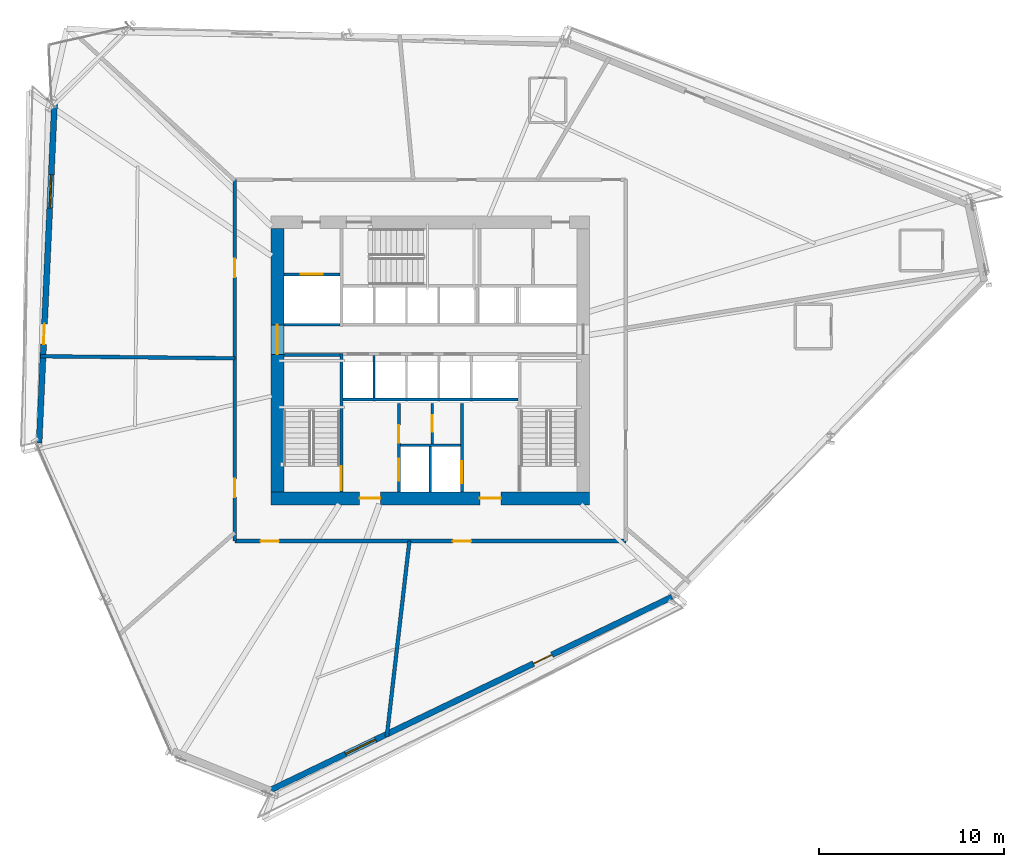
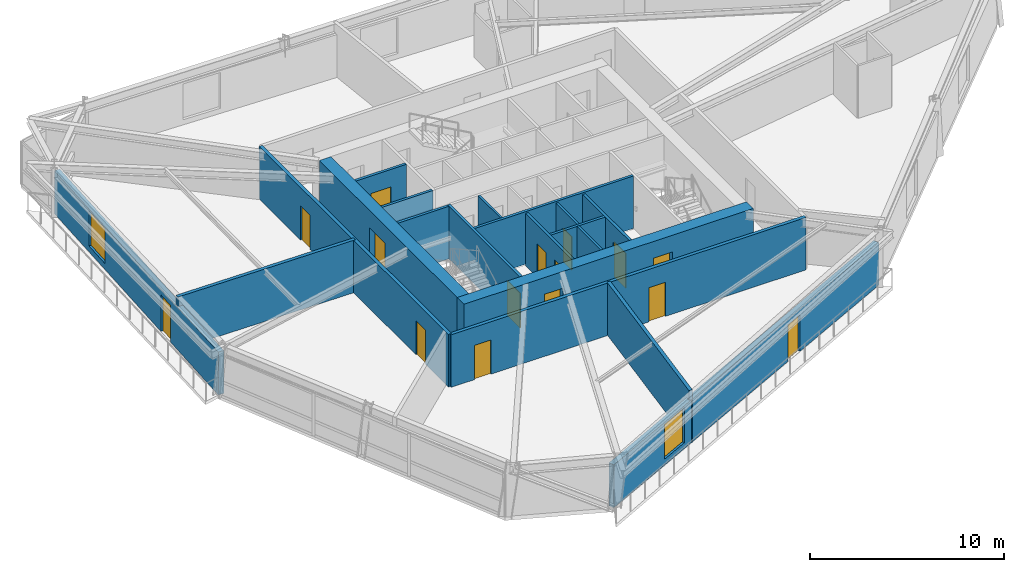
# One storey, part 13 of 19: 19 walls, 15 doors, 2 windows, 17 openings.
"""IFC4 building model written with IfcOpenShell, lengths in metres."""

from ifc_helpers import new_model, si_unit, direction, frame, frame_2d, origin, place, context, subcontext, project, spatial, rectangle, extrude, source, transform, mapped, material, layer, layer_set, type_object, type_shapes, element, fill, save


model = new_model("IFC4")

# Units and contexts
model_context = context("Model", 3, precision=1e-05, world=origin(), true_north=direction((0.0, 1.0)))
body_context = subcontext(model_context, "Body", "Model", "MODEL_VIEW")
ifc_project = project(units=[si_unit("LENGTHUNIT", "METRE"), si_unit("AREAUNIT", "SQUARE_METRE"), si_unit("VOLUMEUNIT", "CUBIC_METRE"), si_unit("PLANEANGLEUNIT", "RADIAN"), si_unit("MASSUNIT", "GRAM", prefix="KILO")], contexts=[model_context])

# Site, building, storey
site_placement = place(None, origin())
site = spatial("IfcSite", under=ifc_project, at=site_placement, CompositionType="ELEMENT")
building_placement = place(site_placement, origin())
building = spatial("IfcBuilding", under=site, at=building_placement, Name="Olszyna Solenne Hotel", CompositionType="ELEMENT")
storey_placement = place(building_placement, frame((0.0, 0.0, 84.39990234375)))
storey = spatial("IfcBuildingStorey", under=building, at=storey_placement, Name="L21", CompositionType="ELEMENT", Elevation=84.39990234375)

# Wall, openings, doors
ifc_material_1 = material(Name="Concrete C60/75", Category="concrete")
ifc_layer_1 = layer(ifc_material_1, 0.699951171875, Name="Concrete C60/75")
ifc_layer_set_1 = layer_set([ifc_layer_1], Name="Concrete C60/75")
wall_type_1 = type_object("IfcWallType", Name="WL-CR700", PredefinedType="SHEAR", material=ifc_layer_set_1)
wall_1_placement = place(storey_placement, frame((46.60009765625, 19.14990234375, 0.0), z_axis=(0.0, 0.0, 1.0), x_axis=(-1.0, 0.0, 0.0)))
wall_1 = element("IfcWall", 1, at=wall_1_placement, inside=storey, type_object=wall_type_1, Name="Core shear wall WL-CR700 CRW-L21-S", PredefinedType="SHEAR", context=body_context, shape_type="SweptSolid", body=[
    extrude(rectangle(XDim=17.2001953125, YDim=0.699951171875, at=frame_2d((8.60009765625, 0.0))), origin(), (0.0, 0.0, 1.0), 3.300048828125),
])
opening_1_placement = place(wall_1_placement, frame((4.800048828125, 0.0, 0.0)))
opening_1 = element("IfcOpeningElement", 2, at=opening_1_placement, cuts=wall_1, Name="Opening FL-L21-1", PredefinedType="OPENING", context=body_context, shape_type="SweptSolid", body=[
    extrude(rectangle(XDim=1.1201171875, YDim=2.25, at=frame_2d((0.56005859375, 1.125))), frame((0.0, 0.35986328125, 0.0), z_axis=(0.0, -1.0, 0.0), x_axis=(1.0, 0.0, 0.0)), (0.0, 0.0, 1.0), 0.719970703125),
])
opening_2_placement = place(wall_1_placement, frame((11.300048828125, 0.0, 0.0)))
opening_2 = element("IfcOpeningElement", 3, at=opening_2_placement, cuts=wall_1, Name="Opening FL-L21-2", PredefinedType="OPENING", context=body_context, shape_type="SweptSolid", body=[
    extrude(rectangle(XDim=1.1201171875, YDim=2.25, at=frame_2d((0.56005859375, 1.125))), frame((0.0, 0.35986328125, 0.0), z_axis=(0.0, -1.0, 0.0), x_axis=(1.0, 0.0, 0.0)), (0.0, 0.0, 1.0), 0.719970703125),
])
ifc_material_2 = material(Name="Steel S355J2", Category="steel")
door_type_1 = type_object("IfcDoorType", Name="DR-FL1", OperationType="NOTDEFINED", PredefinedType="DOOR", material=ifc_material_2)
shared_shape_1 = source(origin(), body_context, "Body", "SweptSolid", [
    extrude(rectangle(XDim=1.1201171875, YDim=2.25, at=frame_2d((0.56005859375, 1.125))), frame((0.0, 0.02490234375, 0.0), z_axis=(0.0, -1.0, 0.0), x_axis=(1.0, 0.0, 0.0)), (0.0, 0.0, 1.0), 0.050048828125),
])
type_shapes(door_type_1, [shared_shape_1])
door_1_placement = place(opening_1_placement, origin())
door_1 = element("IfcDoor", 4, at=door_1_placement, inside=storey, type_object=door_type_1, Name="Firefighting lift lobby smoke door FL-L21-1", OperationType="SINGLE_SWING_LEFT", OverallHeight=2.25, OverallWidth=1.1201171875, PredefinedType="DOOR", context=body_context, shape_type="MappedRepresentation", body=[
    mapped(shared_shape_1, transform((0.0, 0.0, 0.0), x_axis=(1.0, 0.0, 0.0), y_axis=(0.0, 1.0, 0.0), z_axis=(0.0, 0.0, 1.0), scale=1.0)),
])
fill(opening_1, door_1)
door_2_placement = place(opening_2_placement, origin())
door_2 = element("IfcDoor", 5, at=door_2_placement, inside=storey, type_object=door_type_1, Name="Firefighting lift lobby smoke door FL-L21-2", OperationType="SINGLE_SWING_RIGHT", OverallHeight=2.25, OverallWidth=1.1201171875, PredefinedType="DOOR", context=body_context, shape_type="MappedRepresentation", body=[
    mapped(shared_shape_1, transform((0.0, 0.0, 0.0), x_axis=(1.0, 0.0, 0.0), y_axis=(0.0, 1.0, 0.0), z_axis=(0.0, 0.0, 1.0), scale=1.0)),
])
fill(opening_2, door_2)

# Wall, opening, door
wall_2_placement = place(storey_placement, frame((29.75, 19.5, 0.0), z_axis=(0.0, 0.0, 1.0), x_axis=(0.0, 1.0, 0.0)))
wall_2 = element("IfcWall", 6, at=wall_2_placement, inside=storey, type_object=wall_type_1, Name="Core shear wall WL-CR700 CRW-L21-W", PredefinedType="SHEAR", context=body_context, shape_type="SweptSolid", body=[
    extrude(rectangle(XDim=14.199951171875, YDim=0.699951171875, at=frame_2d((7.10009765625, 0.0))), origin(), (0.0, 0.0, 1.0), 3.300048828125),
])
opening_3_placement = place(wall_2_placement, frame((7.419921875, 0.0, 0.0)))
opening_3 = element("IfcOpeningElement", 7, at=opening_3_placement, cuts=wall_2, Name="Opening LHD-L21-W", PredefinedType="OPENING", context=body_context, shape_type="SweptSolid", body=[
    extrude(rectangle(XDim=1.60009765625, YDim=2.199951171875, at=frame_2d((0.800048828125, 1.10009765625))), frame((0.0, 0.35986328125, 0.0), z_axis=(0.0, -1.0, 0.0), x_axis=(1.0, 0.0, 0.0)), (0.0, 0.0, 1.0), 0.719970703125),
])
ifc_material_3 = material(Name="Timber hardwood", Category="wood")
door_type_2 = type_object("IfcDoorType", Name="DR-CR1", OperationType="DOUBLE_DOOR_SINGLE_SWING", PredefinedType="DOOR", material=ifc_material_3)
shared_shape_2 = source(origin(), body_context, "Body", "SweptSolid", [
    extrude(rectangle(XDim=1.60009765625, YDim=2.199951171875, at=frame_2d((0.800048828125, 1.10009765625))), frame((0.0, 0.02490234375, 0.0), z_axis=(0.0, -1.0, 0.0), x_axis=(1.0, 0.0, 0.0)), (0.0, 0.0, 1.0), 0.050048828125),
])
type_shapes(door_type_2, [shared_shape_2])
door_3_placement = place(opening_3_placement, origin())
door_3 = element("IfcDoor", 8, at=door_3_placement, inside=storey, type_object=door_type_2, Name="Passenger lift lobby West fire door LHD-L21-W", OperationType="DOUBLE_DOOR_SINGLE_SWING", OverallHeight=2.199951171875, OverallWidth=1.60009765625, PredefinedType="DOOR", context=body_context, shape_type="MappedRepresentation", body=[
    mapped(shared_shape_2, transform((0.0, 0.0, 0.0), x_axis=(1.0, 0.0, 0.0), y_axis=(0.0, 1.0, 0.0), z_axis=(0.0, 0.0, 1.0), scale=1.0)),
])
fill(opening_3, door_3)

# Wall, openings, door, window
ifc_material_4 = material(Name="Precast concrete C45/55", Category="concrete")
ifc_layer_2 = layer(ifc_material_4, 0.320068359375, Name="Precast concrete C45/55")
ifc_layer_set_2 = layer_set([ifc_layer_2], Name="Precast concrete C45/55")
wall_type_2 = type_object("IfcWallType", Name="WL-EX320", PredefinedType="SOLIDWALL", material=ifc_layer_set_2)
wall_3_placement = place(storey_placement, frame((51.035888671875, 13.831298828125, 0.0), z_axis=(0.0, 0.0, 1.0), x_axis=(-0.901204126569, -0.433394880283, 0.0)))
wall_3 = element("IfcWall", 9, at=wall_3_placement, inside=storey, type_object=wall_type_2, Name="Exterior terracotta-precast frame wall WL-EX320 EW-L21-01", PredefinedType="SOLIDWALL", context=body_context, shape_type="SweptSolid", body=[
    extrude(rectangle(XDim=24.183837890625, YDim=0.320068359375, at=frame_2d((12.091796875, 0.0))), origin(), (0.0, 0.0, 1.0), 2.692138671875),
])
opening_4_placement = place(wall_3_placement, frame((7.18896484375, 0.0, 0.0)))
opening_4 = element("IfcOpeningElement", 10, at=opening_4_placement, cuts=wall_3, Name="Opening LDG-L21-3", PredefinedType="OPENING", context=body_context, shape_type="SweptSolid", body=[
    extrude(rectangle(XDim=1.10009765625, YDim=2.300048828125, at=frame_2d((0.550048828125, 1.14990234375))), frame((0.0, 0.169921875, 0.0), z_axis=(0.0, -1.0, 0.0), x_axis=(1.0, 0.0, 0.0)), (0.0, 0.0, 1.0), 0.340087890625),
])
opening_5_placement = place(wall_3_placement, frame((17.74609375, 0.0, 0.3720703125)))
opening_5 = element("IfcOpeningElement", 11, at=opening_5_placement, cuts=wall_3, Name="Opening WN-L21-108", PredefinedType="OPENING", context=body_context, shape_type="SweptSolid", body=[
    extrude(rectangle(XDim=1.800048828125, YDim=2.199951171875, at=frame_2d((0.89990234375, 1.10009765625))), frame((0.0, 0.169921875, 0.0), z_axis=(0.0, -1.0, 0.0), x_axis=(1.0, 0.0, 0.0)), (0.0, 0.0, 1.0), 0.340087890625),
])
ifc_material_5 = material(Name="Anodised bronze aluminium", Category="aluminium")
door_type_3 = type_object("IfcDoorType", Name="DR-LG1", OperationType="NOTDEFINED", PredefinedType="DOOR", material=ifc_material_5)
shared_shape_3 = source(origin(), body_context, "Body", "SweptSolid", [
    extrude(rectangle(XDim=1.10009765625, YDim=2.300048828125, at=frame_2d((0.550048828125, 1.14990234375))), frame((0.0, 0.02490234375, 0.0), z_axis=(0.0, -1.0, 0.0), x_axis=(1.0, 0.0, 0.0)), (0.0, 0.0, 1.0), 0.050048828125),
])
type_shapes(door_type_3, [shared_shape_3])
door_4_placement = place(opening_4_placement, origin())
door_4 = element("IfcDoor", 12, at=door_4_placement, inside=storey, type_object=door_type_3, Name="Exterior loggia balcony door DR-LG1 LDG-L21-3", OperationType="SINGLE_SWING_LEFT", OverallHeight=2.300048828125, OverallWidth=1.10009765625, PredefinedType="DOOR", context=body_context, shape_type="MappedRepresentation", body=[
    mapped(shared_shape_3, transform((0.0, 0.0, 0.0), x_axis=(1.0, 0.0, 0.0), y_axis=(0.0, 1.0, 0.0), z_axis=(0.0, 0.0, 1.0), scale=1.0)),
])
fill(opening_4, door_4)
ifc_material_6 = material(Name="Low-E triple glazing", Category="glass")
window_type = type_object("IfcWindowType", Name="WN-HT1", PartitioningType="SINGLE_PANEL", PredefinedType="WINDOW", material=ifc_material_6)
shared_shape_4 = source(origin(), body_context, "Body", "SweptSolid", [
    extrude(rectangle(XDim=1.800048828125, YDim=2.199951171875, at=frame_2d((0.89990234375, 1.10009765625))), frame((0.0, 0.030029296875, 0.0), z_axis=(0.0, -1.0, 0.0), x_axis=(1.0, 0.0, 0.0)), (0.0, 0.0, 1.0), 0.06005859375),
])
type_shapes(window_type, [shared_shape_4])
window_1_placement = place(opening_5_placement, origin())
window_1 = element("IfcWindow", 13, at=window_1_placement, inside=storey, type_object=window_type, Name="Loggia room window WN-HT1 WN-L21-108", OverallHeight=2.199951171875, OverallWidth=1.800048828125, PartitioningType="SINGLE_PANEL", PredefinedType="WINDOW", context=body_context, shape_type="MappedRepresentation", body=[
    mapped(shared_shape_4, transform((0.0, 0.0, 0.0), x_axis=(1.0, 0.0, 0.0), y_axis=(0.0, 1.0, 0.0), z_axis=(0.0, 0.0, 1.0), scale=1.0)),
])
fill(opening_5, window_1)

wall_4_placement = place(storey_placement, frame((16.89404296875, 22.14892578125, 0.0), z_axis=(0.0, 0.0, 1.0), x_axis=(0.045387139322, 0.998969472799, 0.0)))
wall_4 = element("IfcWall", 14, at=wall_4_placement, inside=storey, type_object=wall_type_2, Name="Exterior terracotta-precast frame wall WL-EX320 EW-L21-04", PredefinedType="SOLIDWALL", context=body_context, shape_type="SweptSolid", body=[
    extrude(rectangle(XDim=18.347900390625, YDim=0.320068359375, at=frame_2d((9.173828125, 0.0))), origin(), (0.0, 0.0, 1.0), 2.692138671875),
])
opening_6_placement = place(wall_4_placement, frame((5.321044921875, 0.0, 0.0)))
opening_6 = element("IfcOpeningElement", 15, at=opening_6_placement, cuts=wall_4, Name="Opening LDG-L21-2", PredefinedType="OPENING", context=body_context, shape_type="SweptSolid", body=[
    extrude(rectangle(XDim=1.10009765625, YDim=2.300048828125, at=frame_2d((0.550048828125, 1.14990234375))), frame((0.0, 0.169921875, 0.0), z_axis=(0.0, -1.0, 0.0), x_axis=(1.0, 0.0, 0.0)), (0.0, 0.0, 1.0), 0.340087890625),
])
opening_7_placement = place(wall_4_placement, frame((12.677978515625, 0.0, 0.3720703125)))
opening_7 = element("IfcOpeningElement", 16, at=opening_7_placement, cuts=wall_4, Name="Opening WN-L21-109", PredefinedType="OPENING", context=body_context, shape_type="SweptSolid", body=[
    extrude(rectangle(XDim=1.800048828125, YDim=2.199951171875, at=frame_2d((0.89990234375, 1.10009765625))), frame((0.0, 0.169921875, 0.0), z_axis=(0.0, -1.0, 0.0), x_axis=(1.0, 0.0, 0.0)), (0.0, 0.0, 1.0), 0.340087890625),
])
door_5_placement = place(opening_6_placement, origin())
door_5 = element("IfcDoor", 17, at=door_5_placement, inside=storey, type_object=door_type_3, Name="Exterior loggia balcony door DR-LG1 LDG-L21-2", OperationType="SINGLE_SWING_RIGHT", OverallHeight=2.300048828125, OverallWidth=1.10009765625, PredefinedType="DOOR", context=body_context, shape_type="MappedRepresentation", body=[
    mapped(shared_shape_3, transform((0.0, 0.0, 0.0), x_axis=(1.0, 0.0, 0.0), y_axis=(0.0, 1.0, 0.0), z_axis=(0.0, 0.0, 1.0), scale=1.0)),
])
fill(opening_6, door_5)
window_2_placement = place(opening_7_placement, origin())
window_2 = element("IfcWindow", 18, at=window_2_placement, inside=storey, type_object=window_type, Name="Loggia room window WN-HT1 WN-L21-109", OverallHeight=2.199951171875, OverallWidth=1.800048828125, PartitioningType="SINGLE_PANEL", PredefinedType="WINDOW", context=body_context, shape_type="MappedRepresentation", body=[
    mapped(shared_shape_4, transform((0.0, 0.0, 0.0), x_axis=(1.0, 0.0, 0.0), y_axis=(0.0, 1.0, 0.0), z_axis=(0.0, 0.0, 1.0), scale=1.0)),
])
fill(opening_7, window_2)

# Wall
ifc_material_7 = material(Name="Acoustic gypsum partition", Category="gypsum")
ifc_layer_3 = layer(ifc_material_7, 0.125, Name="Acoustic gypsum partition")
ifc_layer_set_3 = layer_set([ifc_layer_3], Name="Acoustic gypsum partition")
wall_type_3 = type_object("IfcWallType", Name="WL-PT125", PredefinedType="PARTITIONING", material=ifc_layer_set_3)
wall_5_placement = place(storey_placement, frame((38.0, 19.5, 0.0), z_axis=(0.0, 0.0, 1.0), x_axis=(0.0, 1.0, 0.0)))
element("IfcWall", 19, at=wall_5_placement, inside=storey, type_object=wall_type_3, Name="Core shaft compartment wall CW-L21-FFM", PredefinedType="PARTITIONING", context=body_context, shape_type="SweptSolid", body=[
    extrude(rectangle(XDim=2.4599609375, YDim=0.125, at=frame_2d((1.22998046875, 0.0))), origin(), (0.0, 0.0, 1.0), 3.300048828125),
])

# Wall, opening, door
wall_6_placement = place(storey_placement, frame((38.10009765625, 22.10009765625, 0.0), z_axis=(0.0, 0.0, 1.0), x_axis=(0.0, 1.0, 0.0)))
wall_6 = element("IfcWall", 20, at=wall_6_placement, inside=storey, type_object=wall_type_3, Name="Core shaft compartment wall CW-L21-SC1", PredefinedType="PARTITIONING", context=body_context, shape_type="SweptSolid", body=[
    extrude(rectangle(XDim=2.179931640625, YDim=0.125, at=frame_2d((1.08984375, 0.0))), origin(), (0.0, 0.0, 1.0), 3.300048828125),
])
opening_8_placement = place(wall_6_placement, frame((0.64990234375, 0.0, 0.0)))
opening_8 = element("IfcOpeningElement", 21, at=opening_8_placement, cuts=wall_6, Name="Opening SVD-L21-SC1", PredefinedType="OPENING", context=body_context, shape_type="SweptSolid", body=[
    extrude(rectangle(XDim=0.89990234375, YDim=2.10009765625, at=frame_2d((0.449951171875, 1.050048828125))), frame((0.0, 0.072509765625, 0.0), z_axis=(0.0, -1.0, 0.0), x_axis=(1.0, 0.0, 0.0)), (0.0, 0.0, 1.0), 0.14501953125),
])
door_type_4 = type_object("IfcDoorType", Name="DR-WC1", OperationType="NOTDEFINED", PredefinedType="DOOR", material=ifc_material_3)
shared_shape_5 = source(origin(), body_context, "Body", "SweptSolid", [
    extrude(rectangle(XDim=0.89990234375, YDim=2.10009765625, at=frame_2d((0.449951171875, 1.050048828125))), frame((0.0, 0.02490234375, 0.0), z_axis=(0.0, -1.0, 0.0), x_axis=(1.0, 0.0, 0.0)), (0.0, 0.0, 1.0), 0.050048828125),
])
type_shapes(door_type_4, [shared_shape_5])
door_6_placement = place(opening_8_placement, origin())
door_6 = element("IfcDoor", 22, at=door_6_placement, inside=storey, type_object=door_type_4, Name="Pantry locker door SVD-L21-SC1", OperationType="SINGLE_SWING_LEFT", OverallHeight=2.10009765625, OverallWidth=0.89990234375, PredefinedType="DOOR", context=body_context, shape_type="MappedRepresentation", body=[
    mapped(shared_shape_5, transform((0.0, 0.0, 0.0), x_axis=(1.0, 0.0, 0.0), y_axis=(0.0, 1.0, 0.0), z_axis=(0.0, 0.0, 1.0), scale=1.0)),
])
fill(opening_8, door_6)

# Wall
wall_7_placement = place(storey_placement, frame((34.965087890625, 24.56005859375, 0.0), z_axis=(0.0, 0.0, 1.0), x_axis=(0.0, 1.0, 0.0)))
element("IfcWall", 23, at=wall_7_placement, inside=storey, type_object=wall_type_3, Name="Core shaft compartment wall CW-L21-DIVS349", PredefinedType="PARTITIONING", context=body_context, shape_type="SweptSolid", body=[
    extrude(rectangle(XDim=2.31005859375, YDim=0.125, at=frame_2d((1.155029296875, 0.0))), origin(), (0.0, 0.0, 1.0), 3.300048828125),
])

# Wall, opening, door
ifc_layer_4 = layer(ifc_material_7, 0.159912109375, Name="Acoustic gypsum partition")
ifc_layer_set_4 = layer_set([ifc_layer_4], Name="Acoustic gypsum partition")
wall_type_4 = type_object("IfcWallType", Name="WL-PT160", PredefinedType="PARTITIONING", material=ifc_layer_set_4)
wall_8_placement = place(storey_placement, frame((33.199951171875, 19.5, 0.0), z_axis=(0.0, 0.0, 1.0), x_axis=(0.0, 1.0, 0.0)))
wall_8 = element("IfcWall", 24, at=wall_8_placement, inside=storey, type_object=wall_type_4, Name="Core shaft compartment wall CW-L21-ST1E", PredefinedType="PARTITIONING", context=body_context, shape_type="SweptSolid", body=[
    extrude(rectangle(XDim=7.4599609375, YDim=0.159912109375, at=frame_2d((3.72998046875, 0.0))), origin(), (0.0, 0.0, 1.0), 3.300048828125),
])
opening_9_placement = place(wall_8_placement, frame((0.080078125, 0.0, 0.0)))
opening_9 = element("IfcOpeningElement", 25, at=opening_9_placement, cuts=wall_8, Name="Opening STD-L21-01", PredefinedType="OPENING", context=body_context, shape_type="SweptSolid", body=[
    extrude(rectangle(XDim=1.320068359375, YDim=2.199951171875, at=frame_2d((0.66015625, 1.10009765625))), frame((0.0, 0.08984375, 0.0), z_axis=(0.0, -1.0, 0.0), x_axis=(1.0, 0.0, 0.0)), (0.0, 0.0, 1.0), 0.179931640625),
])
door_type_5 = type_object("IfcDoorType", Name="DR-ST1", OperationType="NOTDEFINED", PredefinedType="DOOR", material=ifc_material_2)
shared_shape_6 = source(origin(), body_context, "Body", "SweptSolid", [
    extrude(rectangle(XDim=1.320068359375, YDim=2.199951171875, at=frame_2d((0.66015625, 1.10009765625))), frame((0.0, 0.02490234375, 0.0), z_axis=(0.0, -1.0, 0.0), x_axis=(1.0, 0.0, 0.0)), (0.0, 0.0, 1.0), 0.050048828125),
])
type_shapes(door_type_5, [shared_shape_6])
door_7_placement = place(opening_9_placement, origin())
door_7 = element("IfcDoor", 26, at=door_7_placement, inside=storey, type_object=door_type_5, Name="Pressurised exit stair ST1 fire door STD-L21-01", OperationType="SINGLE_SWING_LEFT", OverallHeight=2.199951171875, OverallWidth=1.320068359375, PredefinedType="DOOR", context=body_context, shape_type="MappedRepresentation", body=[
    mapped(shared_shape_6, transform((0.0, 0.0, 0.0), x_axis=(1.0, 0.0, 0.0), y_axis=(0.0, 1.0, 0.0), z_axis=(0.0, 0.0, 1.0), scale=1.0)),
])
fill(opening_9, door_7)

# Wall
wall_9_placement = place(storey_placement, frame((30.10009765625, 26.8798828125, 0.0), z_axis=(0.0, 0.0, 1.0), x_axis=(1.0, 0.0, 0.0)))
element("IfcWall", 27, at=wall_9_placement, inside=storey, type_object=wall_type_4, Name="Core shaft compartment wall CW-L21-ST1N", PredefinedType="PARTITIONING", context=body_context, shape_type="SweptSolid", body=[
    extrude(rectangle(XDim=3.02001953125, YDim=0.159912109375, at=frame_2d((1.510009765625, 0.0))), origin(), (0.0, 0.0, 1.0), 3.300048828125),
])

# Wall, openings, doors
wall_10_placement = place(storey_placement, frame((36.300048828125, 19.5, 0.0), z_axis=(0.0, 0.0, 1.0), x_axis=(0.0, 1.0, 0.0)))
wall_10 = element("IfcWall", 28, at=wall_10_placement, inside=storey, type_object=wall_type_4, Name="Core shaft compartment wall CW-L21-FF1W", PredefinedType="PARTITIONING", context=body_context, shape_type="SweptSolid", body=[
    extrude(rectangle(XDim=4.780029296875, YDim=0.159912109375, at=frame_2d((2.39013671875, 0.0))), origin(), (0.0, 0.0, 1.0), 3.300048828125),
])
opening_10_placement = place(wall_10_placement, frame((0.60009765625, 0.0, 0.0)))
opening_10 = element("IfcOpeningElement", 29, at=opening_10_placement, cuts=wall_10, Name="Opening LD-L21-FF1", PredefinedType="OPENING", context=body_context, shape_type="SweptSolid", body=[
    extrude(rectangle(XDim=1.199951171875, YDim=2.199951171875, at=frame_2d((0.60009765625, 1.10009765625))), frame((0.0, 0.08984375, 0.0), z_axis=(0.0, -1.0, 0.0), x_axis=(1.0, 0.0, 0.0)), (0.0, 0.0, 1.0), 0.179931640625),
])
opening_11_placement = place(wall_10_placement, frame((2.64990234375, 0.0, 0.0)))
opening_11 = element("IfcOpeningElement", 30, at=opening_11_placement, cuts=wall_10, Name="Opening SVD-L21-SMK", PredefinedType="OPENING", context=body_context, shape_type="SweptSolid", body=[
    extrude(rectangle(XDim=0.949951171875, YDim=2.10009765625, at=frame_2d((0.47509765625, 1.050048828125))), frame((0.0, 0.08984375, 0.0), z_axis=(0.0, -1.0, 0.0), x_axis=(1.0, 0.0, 0.0)), (0.0, 0.0, 1.0), 0.179931640625),
])
door_type_6 = type_object("IfcDoorType", Name="DR-SV1", OperationType="NOTDEFINED", PredefinedType="DOOR", material=ifc_material_2)
shared_shape_7 = source(origin(), body_context, "Body", "SweptSolid", [
    extrude(rectangle(XDim=0.949951171875, YDim=2.10009765625, at=frame_2d((0.47509765625, 1.050048828125))), frame((0.0, 0.02490234375, 0.0), z_axis=(0.0, -1.0, 0.0), x_axis=(1.0, 0.0, 0.0)), (0.0, 0.0, 1.0), 0.050048828125),
])
type_shapes(door_type_6, [shared_shape_7])
door_8_placement = place(opening_11_placement, origin())
door_8 = element("IfcDoor", 31, at=door_8_placement, inside=storey, type_object=door_type_6, Name="Valet and core service room door SVD-L21-SMK", OperationType="SINGLE_SWING_LEFT", OverallHeight=2.10009765625, OverallWidth=0.949951171875, PredefinedType="DOOR", context=body_context, shape_type="MappedRepresentation", body=[
    mapped(shared_shape_7, transform((0.0, 0.0, 0.0), x_axis=(1.0, 0.0, 0.0), y_axis=(0.0, 1.0, 0.0), z_axis=(0.0, 0.0, 1.0), scale=1.0)),
])
fill(opening_11, door_8)
door_type_7 = type_object("IfcDoorType", Name="LD-FF1", OperationType="DOUBLE_DOOR_SLIDING", PredefinedType="DOOR", material=ifc_material_2)
shared_shape_8 = source(origin(), body_context, "Body", "SweptSolid", [
    extrude(rectangle(XDim=1.199951171875, YDim=2.199951171875, at=frame_2d((0.60009765625, 1.10009765625))), frame((0.0, 0.02490234375, 0.0), z_axis=(0.0, -1.0, 0.0), x_axis=(1.0, 0.0, 0.0)), (0.0, 0.0, 1.0), 0.050048828125),
])
type_shapes(door_type_7, [shared_shape_8])
door_9_placement = place(opening_10_placement, origin())
door_9 = element("IfcDoor", 32, at=door_9_placement, inside=storey, type_object=door_type_7, Name="Firefighters lift FF1 sliding landing door LD-L21-FF1", OperationType="DOUBLE_DOOR_SLIDING", OverallHeight=2.199951171875, OverallWidth=1.199951171875, PredefinedType="DOOR", context=body_context, shape_type="MappedRepresentation", body=[
    mapped(shared_shape_8, transform((0.0, 0.0, 0.0), x_axis=(1.0, 0.0, 0.0), y_axis=(0.0, 1.0, 0.0), z_axis=(0.0, 0.0, 1.0), scale=1.0)),
])
fill(opening_10, door_9)

# Wall, opening, door
wall_11_placement = place(storey_placement, frame((39.699951171875, 24.280029296875, 0.0), z_axis=(0.0, 0.0, 1.0), x_axis=(0.0, -1.0, 0.0)))
wall_11 = element("IfcWall", 33, at=wall_11_placement, inside=storey, type_object=wall_type_4, Name="Core shaft compartment wall CW-L21-FF2E", PredefinedType="PARTITIONING", context=body_context, shape_type="SweptSolid", body=[
    extrude(rectangle(XDim=4.780029296875, YDim=0.159912109375, at=frame_2d((2.39013671875, 0.0))), origin(), (0.0, 0.0, 1.0), 3.300048828125),
])
opening_12_placement = place(wall_11_placement, frame((3.1201171875, 0.0, 0.0)))
opening_12 = element("IfcOpeningElement", 34, at=opening_12_placement, cuts=wall_11, Name="Opening LD-L21-FF2", PredefinedType="OPENING", context=body_context, shape_type="SweptSolid", body=[
    extrude(rectangle(XDim=1.199951171875, YDim=2.199951171875, at=frame_2d((0.60009765625, 1.10009765625))), frame((0.0, 0.08984375, 0.0), z_axis=(0.0, -1.0, 0.0), x_axis=(1.0, 0.0, 0.0)), (0.0, 0.0, 1.0), 0.179931640625),
])
door_10_placement = place(opening_12_placement, origin())
door_10 = element("IfcDoor", 35, at=door_10_placement, inside=storey, type_object=door_type_7, Name="Firefighters lift FF2 sliding landing door LD-L21-FF2", OperationType="DOUBLE_DOOR_SLIDING", OverallHeight=2.199951171875, OverallWidth=1.199951171875, PredefinedType="DOOR", context=body_context, shape_type="MappedRepresentation", body=[
    mapped(shared_shape_8, transform((0.0, 0.0, 0.0), x_axis=(1.0, 0.0, 0.0), y_axis=(0.0, 1.0, 0.0), z_axis=(0.0, 0.0, 1.0), scale=1.0)),
])
fill(opening_12, door_10)

# Walls
wall_12_placement = place(storey_placement, frame((36.3798828125, 22.02001953125, 0.0), z_axis=(0.0, 0.0, 1.0), x_axis=(1.0, 0.0, 0.0)))
element("IfcWall", 36, at=wall_12_placement, inside=storey, type_object=wall_type_4, Name="Core shaft compartment wall CW-L21-FFN", PredefinedType="PARTITIONING", context=body_context, shape_type="SweptSolid", body=[
    extrude(rectangle(XDim=3.240234375, YDim=0.159912109375, at=frame_2d((1.6201171875, 0.0))), origin(), (0.0, 0.0, 1.0), 3.300048828125),
])
wall_13_placement = place(storey_placement, frame((33.280029296875, 24.489990234375, 0.0), z_axis=(0.0, 0.0, 1.0), x_axis=(1.0, 0.0, 0.0)))
element("IfcWall", 37, at=wall_13_placement, inside=storey, type_object=wall_type_4, Name="Core shaft compartment wall CW-L21-FFBN", PredefinedType="PARTITIONING", context=body_context, shape_type="SweptSolid", body=[
    extrude(rectangle(XDim=9.43994140625, YDim=0.159912109375, at=frame_2d((4.719970703125, 0.0))), origin(), (0.0, 0.0, 1.0), 3.300048828125),
])
wall_14_placement = place(storey_placement, frame((30.10009765625, 28.52001953125, 0.0), z_axis=(0.0, 0.0, 1.0), x_axis=(1.0, 0.0, 0.0)))
element("IfcWall", 38, at=wall_14_placement, inside=storey, type_object=wall_type_4, Name="Core shaft compartment wall CW-L21-SV1S", PredefinedType="PARTITIONING", context=body_context, shape_type="SweptSolid", body=[
    extrude(rectangle(XDim=3.02001953125, YDim=0.159912109375, at=frame_2d((1.510009765625, 0.0))), origin(), (0.0, 0.0, 1.0), 3.300048828125),
])

# Wall, opening, door
wall_15_placement = place(storey_placement, frame((30.10009765625, 31.239990234375, 0.0), z_axis=(0.0, 0.0, 1.0), x_axis=(1.0, 0.0, 0.0)))
wall_15 = element("IfcWall", 39, at=wall_15_placement, inside=storey, type_object=wall_type_4, Name="Core shaft compartment wall CW-L21-SV1N", PredefinedType="PARTITIONING", context=body_context, shape_type="SweptSolid", body=[
    extrude(rectangle(XDim=3.02001953125, YDim=0.159912109375, at=frame_2d((1.510009765625, 0.0))), origin(), (0.0, 0.0, 1.0), 3.300048828125),
])
opening_13_placement = place(wall_15_placement, frame((0.909912109375, 0.0, 0.0)))
opening_13 = element("IfcOpeningElement", 40, at=opening_13_placement, cuts=wall_15, Name="Opening LD-L21-SV1", PredefinedType="OPENING", context=body_context, shape_type="SweptSolid", body=[
    extrude(rectangle(XDim=1.199951171875, YDim=2.199951171875, at=frame_2d((0.60009765625, 1.10009765625))), frame((0.0, 0.08984375, 0.0), z_axis=(0.0, -1.0, 0.0), x_axis=(1.0, 0.0, 0.0)), (0.0, 0.0, 1.0), 0.179931640625),
])
door_11_placement = place(opening_13_placement, origin())
door_11 = element("IfcDoor", 41, at=door_11_placement, inside=storey, type_object=door_type_7, Name="Service lift SV1 sliding landing door LD-L21-SV1", OperationType="DOUBLE_DOOR_SLIDING", OverallHeight=2.199951171875, OverallWidth=1.199951171875, PredefinedType="DOOR", context=body_context, shape_type="MappedRepresentation", body=[
    mapped(shared_shape_8, transform((0.0, 0.0, 0.0), x_axis=(1.0, 0.0, 0.0), y_axis=(0.0, 1.0, 0.0), z_axis=(0.0, 0.0, 1.0), scale=1.0)),
])
fill(opening_13, door_11)

# Walls
ifc_layer_5 = layer(ifc_material_7, 0.199951171875, Name="Acoustic gypsum partition")
ifc_layer_set_5 = layer_set([ifc_layer_5], Name="Acoustic gypsum partition")
wall_type_5 = type_object("IfcWallType", Name="WL-PT200", PredefinedType="PARTITIONING", material=ifc_layer_set_5)
wall_16_placement = place(storey_placement, frame((27.449951171875, 26.71044921875, 0.0), z_axis=(0.0, 0.0, 1.0), x_axis=(-0.999944992189, 0.010488688993, 0.0)))
element("IfcWall", 42, at=wall_16_placement, inside=storey, type_object=wall_type_5, Name="Interior acoustic partition WL-PT200 PW-L21-1173", PredefinedType="PARTITIONING", context=body_context, shape_type="SweptSolid", body=[
    extrude(rectangle(XDim=10.474365234375, YDim=0.199951171875, at=frame_2d((5.2373046875, 0.0))), origin(), (0.0, 0.0, 1.0), 3.300048828125),
])
wall_17_placement = place(storey_placement, frame((36.871826171875, 16.85009765625, 0.0), z_axis=(0.0, 0.0, 1.0), x_axis=(-0.114918671234, -0.993374903549, 0.0)))
element("IfcWall", 43, at=wall_17_placement, inside=storey, type_object=wall_type_5, Name="Interior acoustic partition WL-PT200 PW-L21-1175", PredefinedType="PARTITIONING", context=body_context, shape_type="SweptSolid", body=[
    extrude(rectangle(XDim=10.633056640625, YDim=0.199951171875, at=frame_2d((5.31640625, 0.0))), origin(), (0.0, 0.0, 1.0), 3.300048828125),
])

# Wall, openings, doors
wall_18_placement = place(storey_placement, frame((27.449951171875, 16.85009765625, 0.0), z_axis=(0.0, 0.0, 1.0), x_axis=(1.0, 0.0, 0.0)))
wall_18 = element("IfcWall", 44, at=wall_18_placement, inside=storey, type_object=wall_type_5, Name="Interior acoustic partition WL-PT200 PW-L21-1191", PredefinedType="PARTITIONING", context=body_context, shape_type="SweptSolid", body=[
    extrude(rectangle(XDim=21.10009765625, YDim=0.199951171875, at=frame_2d((10.550048828125, 0.0))), origin(), (0.0, 0.0, 1.0), 3.300048828125),
])
opening_14_placement = place(wall_18_placement, frame((1.39892578125, 0.0, 0.0)))
opening_14 = element("IfcOpeningElement", 45, at=opening_14_placement, cuts=wall_18, Name="Opening DR-L21-0272", PredefinedType="OPENING", context=body_context, shape_type="SweptSolid", body=[
    extrude(rectangle(XDim=0.97998046875, YDim=2.14990234375, at=frame_2d((0.489990234375, 1.074951171875))), frame((0.0, 0.10986328125, 0.0), z_axis=(0.0, -1.0, 0.0), x_axis=(1.0, 0.0, 0.0)), (0.0, 0.0, 1.0), 0.219970703125),
])
opening_15_placement = place(wall_18_placement, frame((11.76708984375, 0.0, 0.0)))
opening_15 = element("IfcOpeningElement", 46, at=opening_15_placement, cuts=wall_18, Name="Opening DR-L21-0273", PredefinedType="OPENING", context=body_context, shape_type="SweptSolid", body=[
    extrude(rectangle(XDim=0.97998046875, YDim=2.14990234375, at=frame_2d((0.489990234375, 1.074951171875))), frame((0.0, 0.10986328125, 0.0), z_axis=(0.0, -1.0, 0.0), x_axis=(1.0, 0.0, 0.0)), (0.0, 0.0, 1.0), 0.219970703125),
])
door_type_8 = type_object("IfcDoorType", Name="DR-RM1", OperationType="NOTDEFINED", PredefinedType="DOOR", material=ifc_material_3)
shared_shape_9 = source(origin(), body_context, "Body", "SweptSolid", [
    extrude(rectangle(XDim=0.97998046875, YDim=2.14990234375, at=frame_2d((0.489990234375, 1.074951171875))), frame((0.0, 0.02490234375, 0.0), z_axis=(0.0, -1.0, 0.0), x_axis=(1.0, 0.0, 0.0)), (0.0, 0.0, 1.0), 0.050048828125),
])
type_shapes(door_type_8, [shared_shape_9])
door_12_placement = place(opening_14_placement, origin())
door_12 = element("IfcDoor", 47, at=door_12_placement, inside=storey, type_object=door_type_8, Name="Private Business Office Entrance Door DR-L21-0272", OperationType="SINGLE_SWING_LEFT", OverallHeight=2.14990234375, OverallWidth=0.97998046875, PredefinedType="DOOR", context=body_context, shape_type="MappedRepresentation", body=[
    mapped(shared_shape_9, transform((0.0, 0.0, 0.0), x_axis=(1.0, 0.0, 0.0), y_axis=(0.0, 1.0, 0.0), z_axis=(0.0, 0.0, 1.0), scale=1.0)),
])
fill(opening_14, door_12)
door_13_placement = place(opening_15_placement, origin())
door_13 = element("IfcDoor", 48, at=door_13_placement, inside=storey, type_object=door_type_8, Name="Conference Boardroom Entrance Door DR-L21-0273", OperationType="SINGLE_SWING_RIGHT", OverallHeight=2.14990234375, OverallWidth=0.97998046875, PredefinedType="DOOR", context=body_context, shape_type="MappedRepresentation", body=[
    mapped(shared_shape_9, transform((0.0, 0.0, 0.0), x_axis=(1.0, 0.0, 0.0), y_axis=(0.0, 1.0, 0.0), z_axis=(0.0, 0.0, 1.0), scale=1.0)),
])
fill(opening_15, door_13)

wall_19_placement = place(storey_placement, frame((27.449951171875, 16.85009765625, 0.0), z_axis=(0.0, 0.0, 1.0), x_axis=(0.0, 1.0, 0.0)))
wall_19 = element("IfcWall", 49, at=wall_19_placement, inside=storey, type_object=wall_type_5, Name="Interior acoustic partition WL-PT200 PW-L21-1192", PredefinedType="PARTITIONING", context=body_context, shape_type="SweptSolid", body=[
    extrude(rectangle(XDim=19.5, YDim=0.199951171875, at=frame_2d((9.75, 0.0))), origin(), (0.0, 0.0, 1.0), 3.300048828125),
])
opening_16_placement = place(wall_19_placement, frame((14.242919921875, 0.0, 0.0)))
opening_16 = element("IfcOpeningElement", 50, at=opening_16_placement, cuts=wall_19, Name="Opening DR-L21-0274", PredefinedType="OPENING", context=body_context, shape_type="SweptSolid", body=[
    extrude(rectangle(XDim=0.97998046875, YDim=2.14990234375, at=frame_2d((0.489990234375, 1.074951171875))), frame((0.0, 0.10986328125, 0.0), z_axis=(0.0, -1.0, 0.0), x_axis=(1.0, 0.0, 0.0)), (0.0, 0.0, 1.0), 0.219970703125),
])
opening_17_placement = place(wall_19_placement, frame((2.375, 0.0, 0.0)))
opening_17 = element("IfcOpeningElement", 51, at=opening_17_placement, cuts=wall_19, Name="Opening DR-L21-0275", PredefinedType="OPENING", context=body_context, shape_type="SweptSolid", body=[
    extrude(rectangle(XDim=0.97998046875, YDim=2.14990234375, at=frame_2d((0.489990234375, 1.074951171875))), frame((0.0, 0.10986328125, 0.0), z_axis=(0.0, -1.0, 0.0), x_axis=(1.0, 0.0, 0.0)), (0.0, 0.0, 1.0), 0.219970703125),
])
door_14_placement = place(opening_16_placement, origin())
door_14 = element("IfcDoor", 52, at=door_14_placement, inside=storey, type_object=door_type_8, Name="Private Business Office Entrance Door DR-L21-0274", OperationType="SINGLE_SWING_LEFT", OverallHeight=2.14990234375, OverallWidth=0.97998046875, PredefinedType="DOOR", context=body_context, shape_type="MappedRepresentation", body=[
    mapped(shared_shape_9, transform((0.0, 0.0, 0.0), x_axis=(1.0, 0.0, 0.0), y_axis=(0.0, 1.0, 0.0), z_axis=(0.0, 0.0, 1.0), scale=1.0)),
])
fill(opening_16, door_14)
door_15_placement = place(opening_17_placement, origin())
door_15 = element("IfcDoor", 53, at=door_15_placement, inside=storey, type_object=door_type_8, Name="Private Business Office Entrance Door DR-L21-0275", OperationType="SINGLE_SWING_RIGHT", OverallHeight=2.14990234375, OverallWidth=0.97998046875, PredefinedType="DOOR", context=body_context, shape_type="MappedRepresentation", body=[
    mapped(shared_shape_9, transform((0.0, 0.0, 0.0), x_axis=(1.0, 0.0, 0.0), y_axis=(0.0, 1.0, 0.0), z_axis=(0.0, 0.0, 1.0), scale=1.0)),
])
fill(opening_17, door_15)

save(model, "model.ifc")
